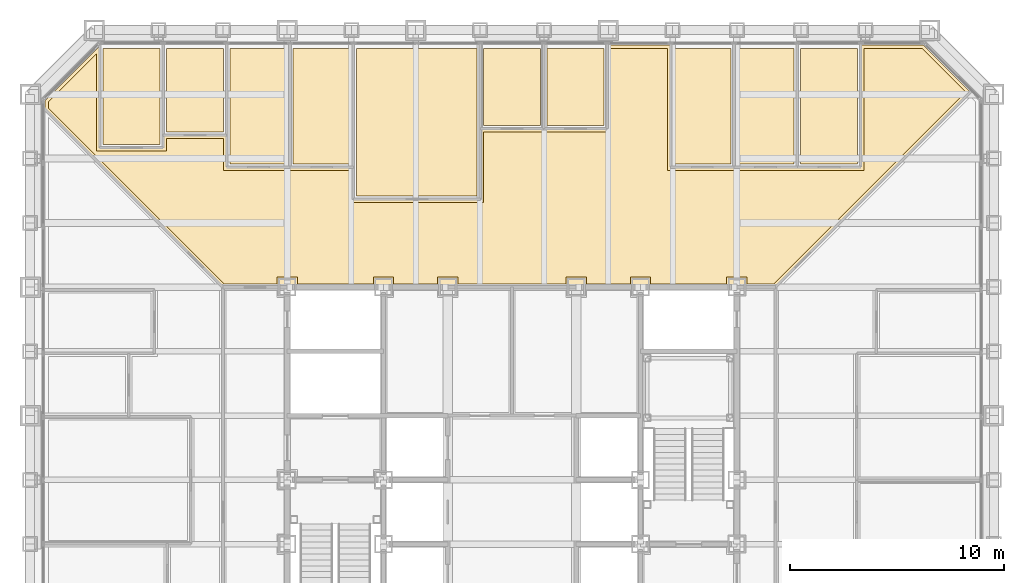
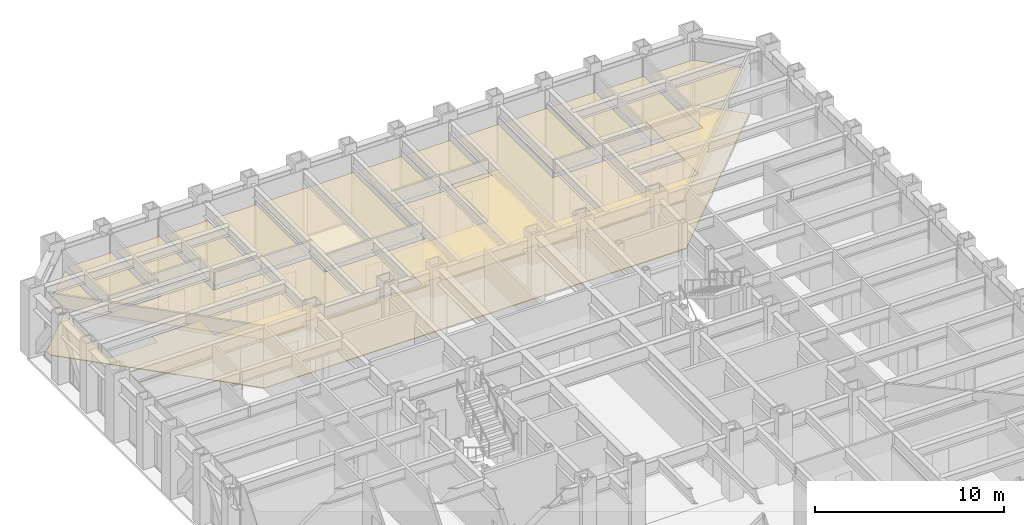
# One storey, part 17 of 17: 12 coverings.
"""IFC4 building model written with IfcOpenShell, lengths in metres."""

import ifcopenshell
import ifcopenshell.guid

model = None  # the IFC model being written
_history = None  # IfcOwnerHistory: only IFC2X3 demands one
_inside = {}  # id of a spatial element -> (the spatial element, [elements in it])
_under = {}  # id of a project, library or spatial element -> (it, [spatial elements below it])
_declared = {}  # id of a project -> (the project, [libraries it declares])
_typed = {}  # id of a type object -> (the type object, [elements of that type])
_made_of = {}  # id of a material, layer set ... -> (it, [elements and type objects made of it])


def new_model(schema):
    """Start an empty IFC model of exactly this schema.

    Asked for "IFC4X3", IfcOpenShell would pick the latest addendum, in which some entities
    have other attributes; the version numbers below select the first issue.
    IFC2X3 requires an IfcOwnerHistory on every rooted entity: one is made here for all.
    """
    global model, _history
    if schema == "IFC4X3":
        model = ifcopenshell.file(schema_version=(4, 3, 0, 0))
    else:
        model = ifcopenshell.file(schema=schema)
    _inside.clear()
    _under.clear()
    _declared.clear()
    _typed.clear()
    _made_of.clear()
    _history = None
    if model.schema == "IFC2X3":
        org = make("IfcOrganization", Name="unknown")
        user = make(
            "IfcPersonAndOrganization",
            ThePerson=make("IfcPerson", FamilyName="unknown"),
            TheOrganization=org,
        )
        app = make(
            "IfcApplication",
            ApplicationDeveloper=org,
            Version="unknown",
            ApplicationFullName="unknown",
            ApplicationIdentifier="unknown",
        )
        _history = make(
            "IfcOwnerHistory",
            OwningUser=user,
            OwningApplication=app,
            ChangeAction="ADDED",
            CreationDate=0,
        )
    return model


def make(cls, **values):
    """One entity of the class cls with the attributes given. An attribute that is None is left unset."""
    return model.create_entity(
        cls, **{name: value for name, value in values.items() if value is not None}
    )


def rooted(cls, **values):
    """An entity with a GlobalId (a new one), such as an element, a storey or a relation."""
    return make(cls, GlobalId=ifcopenshell.guid.new(), OwnerHistory=_history, **values)


def si_unit(unit_type, name, prefix=None):
    """IfcSIUnit, for example si_unit("LENGTHUNIT", "METRE", prefix="MILLI")."""
    return make("IfcSIUnit", UnitType=unit_type, Prefix=prefix, Name=name)


def assignment(units):
    """IfcUnitAssignment: the units of a project."""
    return None if units is None else make("IfcUnitAssignment", Units=units)


def point(xyz):
    """IfcCartesianPoint."""
    return None if xyz is None else make("IfcCartesianPoint", Coordinates=xyz)


def direction(xyz):
    """IfcDirection."""
    return None if xyz is None else make("IfcDirection", DirectionRatios=xyz)


def frame(location, z_axis=None, x_axis=None):
    """IfcAxis2Placement3D, a coordinate frame: its origin and axes. An axis left out is left unset."""
    return make(
        "IfcAxis2Placement3D",
        Location=point(location),
        Axis=direction(z_axis),
        RefDirection=direction(x_axis),
    )


def origin():
    """The frame at (0, 0, 0) with its axes left unset."""
    return frame((0.0, 0.0, 0.0))


def place(relative_to, where):
    """IfcLocalPlacement: puts the frame where relative to a parent placement (None: the world)."""
    return make(
        "IfcLocalPlacement", PlacementRelTo=relative_to, RelativePlacement=where
    )


def context(
    kind, dimensions, precision=None, world=None, true_north=None, identifier=None
):
    """IfcGeometricRepresentationContext, for example the 3D "Model" context."""
    return make(
        "IfcGeometricRepresentationContext",
        ContextIdentifier=identifier,
        ContextType=kind,
        CoordinateSpaceDimension=dimensions,
        Precision=precision,
        WorldCoordinateSystem=world,
        TrueNorth=true_north,
    )


def subcontext(parent, identifier, kind, view, scale=None):
    """IfcGeometricRepresentationSubContext, for example "Body" below "Model"."""
    return make(
        "IfcGeometricRepresentationSubContext",
        ContextIdentifier=identifier,
        ContextType=kind,
        ParentContext=parent,
        TargetScale=scale,
        TargetView=view,
    )


def project(units=None, contexts=None):
    """IfcProject with its units and contexts."""
    return rooted(
        "IfcProject",
        Name="project",
        RepresentationContexts=contexts,
        UnitsInContext=assignment(units),
    )


def spatial(cls, under=None, at=None, **own):
    """A site, building, storey or space (cls), placed at a placement, below another one or the project."""
    s = rooted(cls, ObjectPlacement=at, **own)
    if under is not None:
        _under.setdefault(under.id(), (under, []))[1].append(s)
    return s


def polyline(points):
    """IfcPolyline through the points."""
    return make("IfcPolyline", Points=[point(p) for p in points])


def outline(outer, holes=None, kind="AREA"):
    """IfcArbitraryClosedProfileDef: a profile drawn as a closed curve; with holes, ...WithVoids."""
    if holes is None:
        return make("IfcArbitraryClosedProfileDef", ProfileType=kind, OuterCurve=outer)
    return make(
        "IfcArbitraryProfileDefWithVoids",
        ProfileType=kind,
        OuterCurve=outer,
        InnerCurves=holes,
    )


def extrude(swept, where, along, depth):
    """IfcExtrudedAreaSolid: the profile swept, set in the frame where, extruded along a direction by depth."""
    return make(
        "IfcExtrudedAreaSolid",
        SweptArea=swept,
        Position=where,
        ExtrudedDirection=direction(along),
        Depth=depth,
    )


def shape(context_of_items, identifier, shape_type, items):
    """IfcShapeRepresentation: the items that make up one representation, for example the "Body"."""
    return make(
        "IfcShapeRepresentation",
        ContextOfItems=context_of_items,
        RepresentationIdentifier=identifier,
        RepresentationType=shape_type,
        Items=items,
    )


def material(Name=None, Category=None):
    """IfcMaterial."""
    return make("IfcMaterial", Name=Name, Category=Category)


def layer(
    of_material, thickness, ventilated=None, Name=None, Category=None, Priority=None
):
    """IfcMaterialLayer: one layer of a wall or slab, of a material (None: an air gap)."""
    return make(
        "IfcMaterialLayer",
        Material=of_material,
        LayerThickness=thickness,
        IsVentilated=ventilated,
        Name=Name,
        Category=Category,
        Priority=Priority,
    )


def layer_set(layers, Name=None):
    """IfcMaterialLayerSet."""
    return make("IfcMaterialLayerSet", MaterialLayers=layers, LayerSetName=Name)


def made_of(thing, what):
    """Note that an element or type object is made of a material, layer set ...; save() writes the relation."""
    if what is not None:
        _made_of.setdefault(what.id(), (what, []))[1].append(thing)
    return thing


def type_object(cls, material=None, **own):
    """A type object (cls), such as IfcWallType, which elements share."""
    return made_of(rooted(cls, **own), material)


def element(
    cls,
    number,
    at=None,
    inside=None,
    cuts=None,
    type_object=None,
    material=None,
    context=None,
    identifier="Body",
    shape_type=None,
    held_by="IfcProductDefinitionShape",
    body=None,
    shapes=None,
    **own,
):
    """One element of the class cls, such as IfcWall. Its Tag is "e" and its number.

    at: its placement. inside: the storey or other place that contains it. cuts: it is an
    opening in that element (IfcRelVoidsElement). A single representation is given by context,
    identifier, shape_type and body (its items); several are given by shapes. held_by: the class
    of the entity that holds the representations. save() writes the other relations.
    """
    e = rooted(cls, Tag="e%d" % number, ObjectPlacement=at, **own)
    if body is not None:
        shapes = [shape(context, identifier, shape_type, body)]
    if shapes is not None:
        e.Representation = make(held_by, Representations=shapes)
    if inside is not None:
        _inside.setdefault(inside.id(), (inside, []))[1].append(e)
    if cuts is not None:
        rooted(
            "IfcRelVoidsElement", RelatingBuildingElement=cuts, RelatedOpeningElement=e
        )
    if type_object is not None:
        _typed.setdefault(type_object.id(), (type_object, []))[1].append(e)
    return made_of(e, material)


def aggregate(whole, parts):
    """IfcRelAggregates: a whole, such as a stair, and the parts it consists of."""
    return rooted("IfcRelAggregates", RelatingObject=whole, RelatedObjects=parts)


def save(model, path):
    """Write the relations noted so far, then the file.

    IfcRelAggregates (storeys below a building ...), IfcRelContainedInSpatialStructure (elements
    in a storey), IfcRelDefinesByType, IfcRelAssociatesMaterial and IfcRelDeclares: one each for
    every whole, place, type object, material and project.
    """
    for whole, parts in _under.values():
        aggregate(whole, parts)
    for where, things in _inside.values():
        rooted(
            "IfcRelContainedInSpatialStructure",
            RelatedElements=things,
            RelatingStructure=where,
        )
    for kind, things in _typed.values():
        rooted("IfcRelDefinesByType", RelatedObjects=things, RelatingType=kind)
    for what, things in _made_of.values():
        rooted("IfcRelAssociatesMaterial", RelatedObjects=things, RelatingMaterial=what)
    for by, libraries in _declared.values():
        rooted("IfcRelDeclares", RelatingContext=by, RelatedDefinitions=libraries)
    model.write(path)


model = new_model("IFC4")

# Units and contexts
model_context = context("Model", 3, precision=1e-05, world=origin(), true_north=direction((0.0, 1.0)))
body_context = subcontext(model_context, "Body", "Model", "MODEL_VIEW")
ifc_project = project(units=[si_unit("LENGTHUNIT", "METRE"), si_unit("AREAUNIT", "SQUARE_METRE"), si_unit("VOLUMEUNIT", "CUBIC_METRE"), si_unit("PLANEANGLEUNIT", "RADIAN"), si_unit("MASSUNIT", "GRAM", prefix="KILO")], contexts=[model_context])

# Site, building, storey
site_placement = place(None, origin())
site = spatial("IfcSite", under=ifc_project, at=site_placement, CompositionType="ELEMENT")
building_placement = place(site_placement, origin())
building = spatial("IfcBuilding", under=site, at=building_placement, Name="Chuquiago Exchange Tower", CompositionType="ELEMENT")
storey_placement = place(building_placement, frame((0.0, 0.0, 37.800048828125)))
storey = spatial("IfcBuildingStorey", under=building, at=storey_placement, Name="L07", CompositionType="ELEMENT", Elevation=37.800048828125)

# Coverings
ifc_material_1 = material(Name="Mineral fibre tile, 600 x 600, on pale metal grid", Category="mineral fibre")
ifc_layer_1 = layer(ifc_material_1, 0.02001953125)
ifc_layer_set_1 = layer_set([ifc_layer_1], Name="CL1 suspended tile ceiling 20")
covering_type_1 = type_object("IfcCoveringType", Name="CL1 suspended tile ceiling 20", PredefinedType="CEILING", material=ifc_layer_set_1)
covering_1_placement = place(storey_placement, frame((0.0, 0.0, 3.0)))
element("IfcCovering", 1, at=covering_1_placement, inside=storey, type_object=covering_type_1, Name="Ceiling Comms room", PredefinedType="CEILING", context=body_context, shape_type="SweptSolid", body=[
    extrude(outline(polyline([(6.060302734375, 44.14990234375), (6.060302734375, 39.64990234375), (3.3984375, 39.64990234375), (3.3984375, 44.14990234375), (6.060302734375, 44.14990234375)])), origin(), (0.0, 0.0, 1.0), 0.02001953125),
])
covering_2_placement = place(storey_placement, frame((0.0, 0.0, 3.0)))
element("IfcCovering", 2, at=covering_2_placement, inside=storey, type_object=covering_type_1, Name="Ceiling Store", PredefinedType="CEILING", context=body_context, shape_type="SweptSolid", body=[
    extrude(outline(polyline([(9.022216796875, 40.25), (6.3603515625, 40.25), (6.3603515625, 44.14990234375), (9.022216796875, 44.14990234375), (9.022216796875, 40.25)])), origin(), (0.0, 0.0, 1.0), 0.02001953125),
])
covering_3_placement = place(storey_placement, frame((0.0, 0.0, 3.0)))
element("IfcCovering", 3, at=covering_3_placement, inside=storey, type_object=covering_type_1, Name="Ceiling Office", PredefinedType="CEILING", context=body_context, shape_type="SweptSolid", body=[
    extrude(outline(polyline([(11.98388671875, 38.75), (9.322021484375, 38.75), (9.322021484375, 44.14990234375), (11.98388671875, 44.14990234375), (11.98388671875, 38.75)])), origin(), (0.0, 0.0, 1.0), 0.02001953125),
])
covering_4_placement = place(storey_placement, frame((0.0, 0.0, 3.0)))
element("IfcCovering", 4, at=covering_4_placement, inside=storey, type_object=covering_type_1, Name="Ceiling Office", PredefinedType="CEILING", context=body_context, shape_type="SweptSolid", body=[
    extrude(outline(polyline([(14.945556640625, 38.75), (12.28369140625, 38.75), (12.28369140625, 44.14990234375), (14.945556640625, 44.14990234375), (14.945556640625, 38.75)])), origin(), (0.0, 0.0, 1.0), 0.02001953125),
])
covering_5_placement = place(storey_placement, frame((0.0, 0.0, 3.0)))
element("IfcCovering", 5, at=covering_5_placement, inside=storey, type_object=covering_type_1, Name="Ceiling Research office", PredefinedType="CEILING", context=body_context, shape_type="SweptSolid", body=[
    extrude(outline(polyline([(20.869140625, 37.25), (15.24560546875, 37.25), (15.24560546875, 44.14990234375), (20.869140625, 44.14990234375), (20.869140625, 37.25)])), origin(), (0.0, 0.0, 1.0), 0.02001953125),
])
covering_6_placement = place(storey_placement, frame((0.0, 0.0, 3.0)))
element("IfcCovering", 6, at=covering_6_placement, inside=storey, type_object=covering_type_1, Name="Ceiling Focus room", PredefinedType="CEILING", context=body_context, shape_type="SweptSolid", body=[
    extrude(outline(polyline([(23.830810546875, 40.550048828125), (21.169189453125, 40.550048828125), (21.169189453125, 44.14990234375), (23.830810546875, 44.14990234375), (23.830810546875, 40.550048828125)])), origin(), (0.0, 0.0, 1.0), 0.02001953125),
])
covering_7_placement = place(storey_placement, frame((0.0, 0.0, 3.0)))
element("IfcCovering", 7, at=covering_7_placement, inside=storey, type_object=covering_type_1, Name="Ceiling Focus room", PredefinedType="CEILING", context=body_context, shape_type="SweptSolid", body=[
    extrude(outline(polyline([(26.79248046875, 40.550048828125), (24.130859375, 40.550048828125), (24.130859375, 44.14990234375), (26.79248046875, 44.14990234375), (26.79248046875, 40.550048828125)])), origin(), (0.0, 0.0, 1.0), 0.02001953125),
])
covering_8_placement = place(storey_placement, frame((0.0, 0.0, 3.0)))
element("IfcCovering", 8, at=covering_8_placement, inside=storey, type_object=covering_type_1, Name="Ceiling Compliance office", PredefinedType="CEILING", context=body_context, shape_type="SweptSolid", body=[
    extrude(outline(polyline([(32.71630859375, 38.75), (30.054443359375, 38.75), (30.054443359375, 44.14990234375), (32.71630859375, 44.14990234375), (32.71630859375, 38.75)])), origin(), (0.0, 0.0, 1.0), 0.02001953125),
])
covering_9_placement = place(storey_placement, frame((0.0, 0.0, 3.0)))
element("IfcCovering", 9, at=covering_9_placement, inside=storey, type_object=covering_type_1, Name="Ceiling Compliance office", PredefinedType="CEILING", context=body_context, shape_type="SweptSolid", body=[
    extrude(outline(polyline([(35.677978515625, 38.75), (33.01611328125, 38.75), (33.01611328125, 44.14990234375), (35.677978515625, 44.14990234375), (35.677978515625, 38.75)])), origin(), (0.0, 0.0, 1.0), 0.02001953125),
])
covering_10_placement = place(storey_placement, frame((0.0, 0.0, 3.0)))
element("IfcCovering", 10, at=covering_10_placement, inside=storey, type_object=covering_type_1, Name="Ceiling Office", PredefinedType="CEILING", context=body_context, shape_type="SweptSolid", body=[
    extrude(outline(polyline([(38.6396484375, 38.75), (35.977783203125, 38.75), (35.977783203125, 44.14990234375), (38.6396484375, 44.14990234375), (38.6396484375, 38.75)])), origin(), (0.0, 0.0, 1.0), 0.02001953125),
])
covering_11_placement = place(storey_placement, frame((0.0, 0.0, 3.0)))
element("IfcCovering", 11, at=covering_11_placement, inside=storey, type_object=covering_type_1, Name="Ceiling Trading floor north", PredefinedType="CEILING", context=body_context, shape_type="SweptSolid", body=[
    extrude(outline(polyline([(3.098388671875, 43.896484375), (3.098388671875, 39.35009765625), (6.3603515625, 39.35009765625), (6.3603515625, 39.949951171875), (9.022216796875, 39.949951171875), (9.022216796875, 38.449951171875), (14.945556640625, 38.449951171875), (14.945556640625, 36.949951171875), (21.169189453125, 36.949951171875), (21.169189453125, 40.25), (27.092529296875, 40.25), (27.092529296875, 44.14990234375), (29.75439453125, 44.14990234375), (29.75439453125, 38.449951171875), (38.939697265625, 38.449951171875), (38.939697265625, 44.14990234375), (41.64794921875, 44.14990234375), (43.692626953125, 42.10546875), (34.7373046875, 33.14990234375), (33.47509765625, 33.14990234375), (33.47509765625, 33.47509765625), (32.52490234375, 33.47509765625), (32.52490234375, 33.14990234375), (28.97509765625, 33.14990234375), (28.97509765625, 33.47509765625), (28.02490234375, 33.47509765625), (28.02490234375, 33.14990234375), (25.97509765625, 33.14990234375), (25.97509765625, 33.47509765625), (25.02490234375, 33.47509765625), (25.02490234375, 33.14990234375), (19.97509765625, 33.14990234375), (19.97509765625, 33.47509765625), (19.02490234375, 33.47509765625), (19.02490234375, 33.14990234375), (16.97509765625, 33.14990234375), (16.97509765625, 33.47509765625), (16.02490234375, 33.47509765625), (16.02490234375, 33.14990234375), (12.47509765625, 33.14990234375), (12.47509765625, 33.47509765625), (11.52490234375, 33.47509765625), (11.52490234375, 33.14990234375), (9.0625, 33.14990234375), (0.85009765625, 41.36279296875), (0.85009765625, 41.64794921875), (3.098388671875, 43.896484375)])), origin(), (0.0, 0.0, 1.0), 0.02001953125),
])
ifc_material_2 = material(Name="Steel raised floor panel", Category="steel")
ifc_layer_2 = layer(ifc_material_2, 0.0400390625)
ifc_layer_set_2 = layer_set([ifc_layer_2], Name="RF1 raised access floor 40")
covering_type_2 = type_object("IfcCoveringType", Name="RF1 raised access floor 40", PredefinedType="FLOORING", material=ifc_layer_set_2)
covering_12_placement = place(storey_placement, frame((0.0, 0.0, -0.0400390625)))
element("IfcCovering", 12, at=covering_12_placement, inside=storey, type_object=covering_type_2, Name="Raised access floor Trading floor north", PredefinedType="FLOORING", context=body_context, shape_type="SweptSolid", body=[
    extrude(outline(polyline([(0.699951171875, 41.710205078125), (3.289794921875, 44.300048828125), (3.24853515625, 44.258544921875), (3.24853515625, 39.5), (6.210205078125, 39.5), (6.210205078125, 40.10009765625), (9.172119140625, 40.10009765625), (9.172119140625, 38.60009765625), (15.095703125, 38.60009765625), (15.095703125, 37.10009765625), (21.01904296875, 37.10009765625), (21.01904296875, 40.39990234375), (26.942626953125, 40.39990234375), (26.942626953125, 44.300048828125), (29.904296875, 44.300048828125), (29.904296875, 38.60009765625), (38.789794921875, 38.60009765625), (38.789794921875, 44.300048828125), (41.710205078125, 44.300048828125), (43.90478515625, 42.10546875), (34.799560546875, 33.0), (9.00048828125, 33.0), (0.699951171875, 41.30078125), (0.699951171875, 41.710205078125)])), origin(), (0.0, 0.0, 1.0), 0.0400390625),
])

save(model, "model.ifc")
